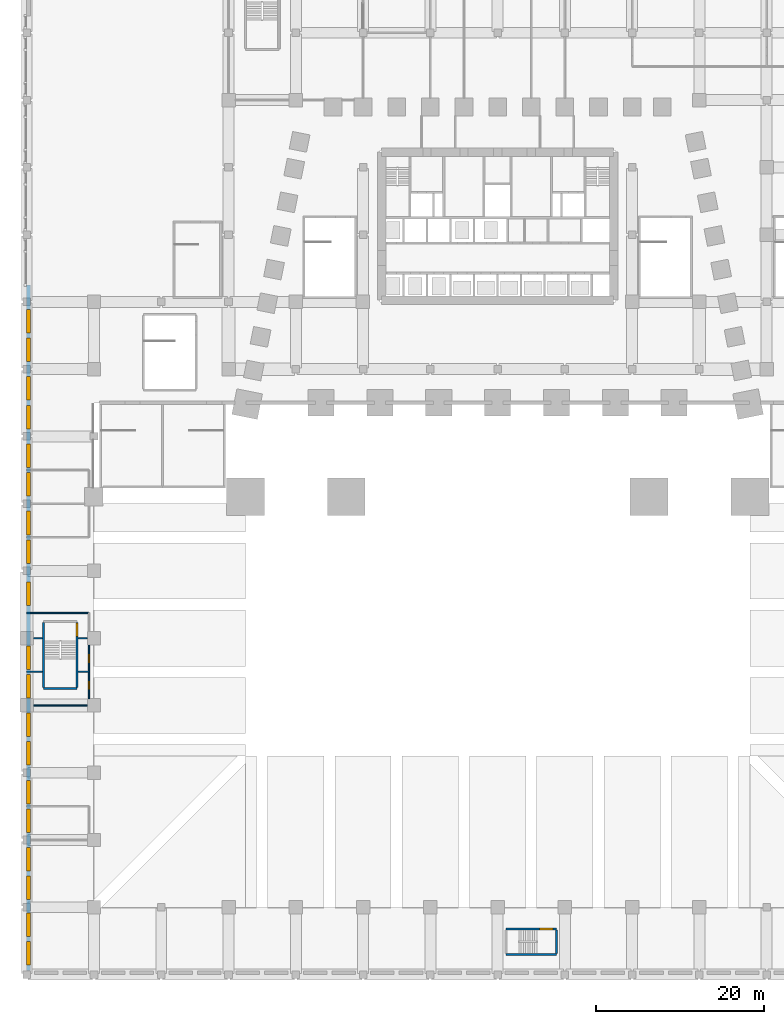
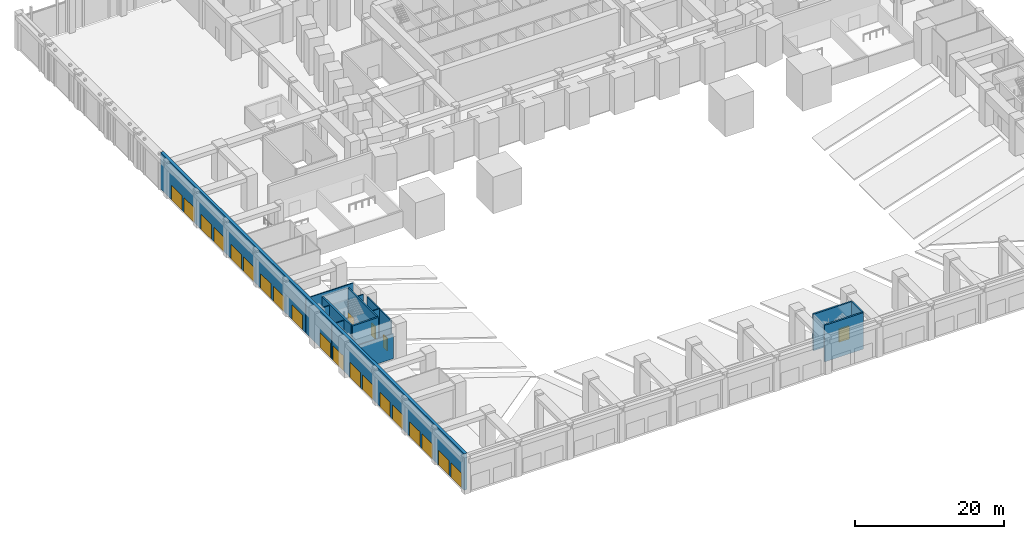
# One storey, part 8 of 28: 23 doors, 14 walls, 23 openings.
"""IFC4 building model written with IfcOpenShell, lengths in metres."""

from ifc_helpers import new_model, si_unit, direction, frame, frame_2d, origin, place, context, subcontext, project, spatial, rectangle, extrude, material, layer, layer_set, type_object, element, fill, save


model = new_model("IFC4")

# Units and contexts
model_context = context("Model", 3, precision=1e-05, world=origin(), true_north=direction((0.0, 1.0)))
body_context = subcontext(model_context, "Body", "Model", "MODEL_VIEW")
ifc_project = project(units=[si_unit("LENGTHUNIT", "METRE"), si_unit("AREAUNIT", "SQUARE_METRE"), si_unit("VOLUMEUNIT", "CUBIC_METRE"), si_unit("PLANEANGLEUNIT", "RADIAN"), si_unit("MASSUNIT", "GRAM", prefix="KILO")], contexts=[model_context])

# Site, building, storey
site_placement = place(None, origin())
site = spatial("IfcSite", under=ifc_project, at=site_placement, CompositionType="ELEMENT")
building_placement = place(site_placement, origin())
building = spatial("IfcBuilding", under=site, at=building_placement, Name="Isbrekke Arena Tower", CompositionType="ELEMENT")
storey_placement = place(building_placement, origin())
storey = spatial("IfcBuildingStorey", under=building, at=storey_placement, Name="L00", CompositionType="ELEMENT", Elevation=0.0)

# Wall, openings, doors
ifc_material_1 = material(Name="Pale brick facing on concrete backing wall", Category="masonry")
ifc_layer_1 = layer(ifc_material_1, 0.449951171875)
ifc_layer_set_1 = layer_set([ifc_layer_1], Name="EW1 PODIUM BRICK WALL 450")
wall_type_1 = type_object("IfcWallType", Name="EW1 PODIUM BRICK WALL 450", PredefinedType="SOLIDWALL", material=ifc_layer_set_1)
wall_1_placement = place(storey_placement, frame((-55.77490234375, 8.0, 0.0), z_axis=(0.0, 0.0, 1.0), x_axis=(0.0, -1.0, 0.0)))
wall_1 = element("IfcWall", 1, at=wall_1_placement, inside=storey, type_object=wall_type_1, Name="EW1 podium wall W1 L00", PredefinedType="SOLIDWALL", context=body_context, shape_type="SweptSolid", body=[
    extrude(rectangle(XDim=81.550048828125, YDim=0.449951171875, at=frame_2d((40.77490234375, 0.0))), origin(), (0.0, 0.0, 1.0), 6.0),
])
opening_1_placement = place(wall_1_placement, frame((2.89990234375, 0.0, 0.0)))
opening_1 = element("IfcOpeningElement", 2, at=opening_1_placement, cuts=wall_1, Name="Opening DE1", PredefinedType="OPENING", context=body_context, shape_type="SweptSolid", body=[
    extrude(rectangle(XDim=2.800048828125, YDim=2.39990234375, at=frame_2d((1.39990234375, 1.199951171875))), frame((0.0, 0.23974609375, 0.0), z_axis=(0.0, -1.0, 0.0), x_axis=(1.0, 0.0, 0.0)), (0.0, 0.0, 1.0), 0.479736328125),
])
opening_2_placement = place(wall_1_placement, frame((6.300048828125, 0.0, 0.0)))
opening_2 = element("IfcOpeningElement", 3, at=opening_2_placement, cuts=wall_1, Name="Opening DE1", PredefinedType="OPENING", context=body_context, shape_type="SweptSolid", body=[
    extrude(rectangle(XDim=2.800048828125, YDim=2.39990234375, at=frame_2d((1.39990234375, 1.199951171875))), frame((0.0, 0.23974609375, 0.0), z_axis=(0.0, -1.0, 0.0), x_axis=(1.0, 0.0, 0.0)), (0.0, 0.0, 1.0), 0.479736328125),
])
opening_3_placement = place(wall_1_placement, frame((10.89990234375, 0.0, 0.0)))
opening_3 = element("IfcOpeningElement", 4, at=opening_3_placement, cuts=wall_1, Name="Opening DE1", PredefinedType="OPENING", context=body_context, shape_type="SweptSolid", body=[
    extrude(rectangle(XDim=2.800048828125, YDim=2.39990234375, at=frame_2d((1.39990234375, 1.199951171875))), frame((0.0, 0.23974609375, 0.0), z_axis=(0.0, -1.0, 0.0), x_axis=(1.0, 0.0, 0.0)), (0.0, 0.0, 1.0), 0.479736328125),
])
opening_4_placement = place(wall_1_placement, frame((14.300048828125, 0.0, 0.0)))
opening_4 = element("IfcOpeningElement", 5, at=opening_4_placement, cuts=wall_1, Name="Opening DE1", PredefinedType="OPENING", context=body_context, shape_type="SweptSolid", body=[
    extrude(rectangle(XDim=2.800048828125, YDim=2.39990234375, at=frame_2d((1.39990234375, 1.199951171875))), frame((0.0, 0.23974609375, 0.0), z_axis=(0.0, -1.0, 0.0), x_axis=(1.0, 0.0, 0.0)), (0.0, 0.0, 1.0), 0.479736328125),
])
opening_5_placement = place(wall_1_placement, frame((18.89990234375, 0.0, 0.0)))
opening_5 = element("IfcOpeningElement", 6, at=opening_5_placement, cuts=wall_1, Name="Opening DE1", PredefinedType="OPENING", context=body_context, shape_type="SweptSolid", body=[
    extrude(rectangle(XDim=2.800048828125, YDim=2.39990234375, at=frame_2d((1.39990234375, 1.199951171875))), frame((0.0, 0.23974609375, 0.0), z_axis=(0.0, -1.0, 0.0), x_axis=(1.0, 0.0, 0.0)), (0.0, 0.0, 1.0), 0.479736328125),
])
opening_6_placement = place(wall_1_placement, frame((22.300048828125, 0.0, 0.0)))
opening_6 = element("IfcOpeningElement", 7, at=opening_6_placement, cuts=wall_1, Name="Opening DE1", PredefinedType="OPENING", context=body_context, shape_type="SweptSolid", body=[
    extrude(rectangle(XDim=2.800048828125, YDim=2.39990234375, at=frame_2d((1.39990234375, 1.199951171875))), frame((0.0, 0.23974609375, 0.0), z_axis=(0.0, -1.0, 0.0), x_axis=(1.0, 0.0, 0.0)), (0.0, 0.0, 1.0), 0.479736328125),
])
opening_7_placement = place(wall_1_placement, frame((26.89990234375, 0.0, 0.0)))
opening_7 = element("IfcOpeningElement", 8, at=opening_7_placement, cuts=wall_1, Name="Opening DE1", PredefinedType="OPENING", context=body_context, shape_type="SweptSolid", body=[
    extrude(rectangle(XDim=2.800048828125, YDim=2.39990234375, at=frame_2d((1.39990234375, 1.199951171875))), frame((0.0, 0.23974609375, 0.0), z_axis=(0.0, -1.0, 0.0), x_axis=(1.0, 0.0, 0.0)), (0.0, 0.0, 1.0), 0.479736328125),
])
opening_8_placement = place(wall_1_placement, frame((30.300048828125, 0.0, 0.0)))
opening_8 = element("IfcOpeningElement", 9, at=opening_8_placement, cuts=wall_1, Name="Opening DE1", PredefinedType="OPENING", context=body_context, shape_type="SweptSolid", body=[
    extrude(rectangle(XDim=2.800048828125, YDim=2.39990234375, at=frame_2d((1.39990234375, 1.199951171875))), frame((0.0, 0.23974609375, 0.0), z_axis=(0.0, -1.0, 0.0), x_axis=(1.0, 0.0, 0.0)), (0.0, 0.0, 1.0), 0.479736328125),
])
opening_9_placement = place(wall_1_placement, frame((35.324951171875, 0.0, 0.0)))
opening_9 = element("IfcOpeningElement", 10, at=opening_9_placement, cuts=wall_1, Name="Opening DE1", PredefinedType="OPENING", context=body_context, shape_type="SweptSolid", body=[
    extrude(rectangle(XDim=2.800048828125, YDim=2.39990234375, at=frame_2d((1.39990234375, 1.199951171875))), frame((0.0, 0.23974609375, 0.0), z_axis=(0.0, -1.0, 0.0), x_axis=(1.0, 0.0, 0.0)), (0.0, 0.0, 1.0), 0.479736328125),
])
opening_10_placement = place(wall_1_placement, frame((42.89990234375, 0.0, 0.0)))
opening_10 = element("IfcOpeningElement", 11, at=opening_10_placement, cuts=wall_1, Name="Opening DE1", PredefinedType="OPENING", context=body_context, shape_type="SweptSolid", body=[
    extrude(rectangle(XDim=2.800048828125, YDim=2.39990234375, at=frame_2d((1.39990234375, 1.199951171875))), frame((0.0, 0.23974609375, 0.0), z_axis=(0.0, -1.0, 0.0), x_axis=(1.0, 0.0, 0.0)), (0.0, 0.0, 1.0), 0.479736328125),
])
opening_11_placement = place(wall_1_placement, frame((46.300048828125, 0.0, 0.0)))
opening_11 = element("IfcOpeningElement", 12, at=opening_11_placement, cuts=wall_1, Name="Opening DE1", PredefinedType="OPENING", context=body_context, shape_type="SweptSolid", body=[
    extrude(rectangle(XDim=2.800048828125, YDim=2.39990234375, at=frame_2d((1.39990234375, 1.199951171875))), frame((0.0, 0.23974609375, 0.0), z_axis=(0.0, -1.0, 0.0), x_axis=(1.0, 0.0, 0.0)), (0.0, 0.0, 1.0), 0.479736328125),
])
opening_12_placement = place(wall_1_placement, frame((50.89990234375, 0.0, 0.0)))
opening_12 = element("IfcOpeningElement", 13, at=opening_12_placement, cuts=wall_1, Name="Opening DE1", PredefinedType="OPENING", context=body_context, shape_type="SweptSolid", body=[
    extrude(rectangle(XDim=2.800048828125, YDim=2.39990234375, at=frame_2d((1.39990234375, 1.199951171875))), frame((0.0, 0.23974609375, 0.0), z_axis=(0.0, -1.0, 0.0), x_axis=(1.0, 0.0, 0.0)), (0.0, 0.0, 1.0), 0.479736328125),
])
opening_13_placement = place(wall_1_placement, frame((54.300048828125, 0.0, 0.0)))
opening_13 = element("IfcOpeningElement", 14, at=opening_13_placement, cuts=wall_1, Name="Opening DE1", PredefinedType="OPENING", context=body_context, shape_type="SweptSolid", body=[
    extrude(rectangle(XDim=2.800048828125, YDim=2.39990234375, at=frame_2d((1.39990234375, 1.199951171875))), frame((0.0, 0.23974609375, 0.0), z_axis=(0.0, -1.0, 0.0), x_axis=(1.0, 0.0, 0.0)), (0.0, 0.0, 1.0), 0.479736328125),
])
opening_14_placement = place(wall_1_placement, frame((58.89990234375, 0.0, 0.0)))
opening_14 = element("IfcOpeningElement", 15, at=opening_14_placement, cuts=wall_1, Name="Opening DE1", PredefinedType="OPENING", context=body_context, shape_type="SweptSolid", body=[
    extrude(rectangle(XDim=2.800048828125, YDim=2.39990234375, at=frame_2d((1.39990234375, 1.199951171875))), frame((0.0, 0.23974609375, 0.0), z_axis=(0.0, -1.0, 0.0), x_axis=(1.0, 0.0, 0.0)), (0.0, 0.0, 1.0), 0.479736328125),
])
opening_15_placement = place(wall_1_placement, frame((62.300048828125, 0.0, 0.0)))
opening_15 = element("IfcOpeningElement", 16, at=opening_15_placement, cuts=wall_1, Name="Opening DE1", PredefinedType="OPENING", context=body_context, shape_type="SweptSolid", body=[
    extrude(rectangle(XDim=2.800048828125, YDim=2.39990234375, at=frame_2d((1.39990234375, 1.199951171875))), frame((0.0, 0.23974609375, 0.0), z_axis=(0.0, -1.0, 0.0), x_axis=(1.0, 0.0, 0.0)), (0.0, 0.0, 1.0), 0.479736328125),
])
opening_16_placement = place(wall_1_placement, frame((66.89990234375, 0.0, 0.0)))
opening_16 = element("IfcOpeningElement", 17, at=opening_16_placement, cuts=wall_1, Name="Opening DE1", PredefinedType="OPENING", context=body_context, shape_type="SweptSolid", body=[
    extrude(rectangle(XDim=2.800048828125, YDim=2.39990234375, at=frame_2d((1.39990234375, 1.199951171875))), frame((0.0, 0.23974609375, 0.0), z_axis=(0.0, -1.0, 0.0), x_axis=(1.0, 0.0, 0.0)), (0.0, 0.0, 1.0), 0.479736328125),
])
opening_17_placement = place(wall_1_placement, frame((70.300048828125, 0.0, 0.0)))
opening_17 = element("IfcOpeningElement", 18, at=opening_17_placement, cuts=wall_1, Name="Opening DE1", PredefinedType="OPENING", context=body_context, shape_type="SweptSolid", body=[
    extrude(rectangle(XDim=2.800048828125, YDim=2.39990234375, at=frame_2d((1.39990234375, 1.199951171875))), frame((0.0, 0.23974609375, 0.0), z_axis=(0.0, -1.0, 0.0), x_axis=(1.0, 0.0, 0.0)), (0.0, 0.0, 1.0), 0.479736328125),
])
opening_18_placement = place(wall_1_placement, frame((74.675048828125, 0.0, 0.0)))
opening_18 = element("IfcOpeningElement", 19, at=opening_18_placement, cuts=wall_1, Name="Opening DE1", PredefinedType="OPENING", context=body_context, shape_type="SweptSolid", body=[
    extrude(rectangle(XDim=2.800048828125, YDim=2.39990234375, at=frame_2d((1.39990234375, 1.199951171875))), frame((0.0, 0.23974609375, 0.0), z_axis=(0.0, -1.0, 0.0), x_axis=(1.0, 0.0, 0.0)), (0.0, 0.0, 1.0), 0.479736328125),
])
opening_19_placement = place(wall_1_placement, frame((78.074951171875, 0.0, 0.0)))
opening_19 = element("IfcOpeningElement", 20, at=opening_19_placement, cuts=wall_1, Name="Opening DE1", PredefinedType="OPENING", context=body_context, shape_type="SweptSolid", body=[
    extrude(rectangle(XDim=2.800048828125, YDim=2.39990234375, at=frame_2d((1.39990234375, 1.199951171875))), frame((0.0, 0.23974609375, 0.0), z_axis=(0.0, -1.0, 0.0), x_axis=(1.0, 0.0, 0.0)), (0.0, 0.0, 1.0), 0.479736328125),
])
ifc_material_2 = material(Name="Steel-framed glazed double door", Category="steel")
door_type_1 = type_object("IfcDoorType", Name="DE1 EXIT DOOR 2800 x 2400", OperationType="DOUBLE_DOOR_SINGLE_SWING", PredefinedType="DOOR", material=ifc_material_2)
door_1_placement = place(opening_1_placement, frame((2.800048828125, 0.0, 0.0), z_axis=(0.0, 0.0, 1.0), x_axis=(-1.0, 0.0, 0.0)))
door_1 = element("IfcDoor", 21, at=door_1_placement, inside=storey, type_object=door_type_1, Name="DE1 exit door W1-2a", OperationType="DOUBLE_DOOR_SINGLE_SWING", OverallHeight=2.39990234375, OverallWidth=2.800048828125, PredefinedType="DOOR", context=body_context, shape_type="SweptSolid", body=[
    extrude(rectangle(XDim=2.800048828125, YDim=2.39990234375, at=frame_2d((1.39990234375, 1.199951171875))), frame((0.0, 0.224609375, 0.0), z_axis=(0.0, -1.0, 0.0), x_axis=(1.0, 0.0, 0.0)), (0.0, 0.0, 1.0), 0.449462890625),
])
fill(opening_1, door_1)
door_2_placement = place(opening_2_placement, frame((2.800048828125, 0.0, 0.0), z_axis=(0.0, 0.0, 1.0), x_axis=(-1.0, 0.0, 0.0)))
door_2 = element("IfcDoor", 22, at=door_2_placement, inside=storey, type_object=door_type_1, Name="DE1 exit door W1-2b", OperationType="DOUBLE_DOOR_SINGLE_SWING", OverallHeight=2.39990234375, OverallWidth=2.800048828125, PredefinedType="DOOR", context=body_context, shape_type="SweptSolid", body=[
    extrude(rectangle(XDim=2.800048828125, YDim=2.39990234375, at=frame_2d((1.39990234375, 1.199951171875))), frame((0.0, 0.224609375, 0.0), z_axis=(0.0, -1.0, 0.0), x_axis=(1.0, 0.0, 0.0)), (0.0, 0.0, 1.0), 0.449462890625),
])
fill(opening_2, door_2)
door_3_placement = place(opening_3_placement, frame((2.800048828125, 0.0, 0.0), z_axis=(0.0, 0.0, 1.0), x_axis=(-1.0, 0.0, 0.0)))
door_3 = element("IfcDoor", 23, at=door_3_placement, inside=storey, type_object=door_type_1, Name="DE1 exit door W1-3a", OperationType="DOUBLE_DOOR_SINGLE_SWING", OverallHeight=2.39990234375, OverallWidth=2.800048828125, PredefinedType="DOOR", context=body_context, shape_type="SweptSolid", body=[
    extrude(rectangle(XDim=2.800048828125, YDim=2.39990234375, at=frame_2d((1.39990234375, 1.199951171875))), frame((0.0, 0.224609375, 0.0), z_axis=(0.0, -1.0, 0.0), x_axis=(1.0, 0.0, 0.0)), (0.0, 0.0, 1.0), 0.449462890625),
])
fill(opening_3, door_3)
door_4_placement = place(opening_4_placement, frame((2.800048828125, 0.0, 0.0), z_axis=(0.0, 0.0, 1.0), x_axis=(-1.0, 0.0, 0.0)))
door_4 = element("IfcDoor", 24, at=door_4_placement, inside=storey, type_object=door_type_1, Name="DE1 exit door W1-3b", OperationType="DOUBLE_DOOR_SINGLE_SWING", OverallHeight=2.39990234375, OverallWidth=2.800048828125, PredefinedType="DOOR", context=body_context, shape_type="SweptSolid", body=[
    extrude(rectangle(XDim=2.800048828125, YDim=2.39990234375, at=frame_2d((1.39990234375, 1.199951171875))), frame((0.0, 0.224609375, 0.0), z_axis=(0.0, -1.0, 0.0), x_axis=(1.0, 0.0, 0.0)), (0.0, 0.0, 1.0), 0.449462890625),
])
fill(opening_4, door_4)
door_5_placement = place(opening_5_placement, frame((2.800048828125, 0.0, 0.0), z_axis=(0.0, 0.0, 1.0), x_axis=(-1.0, 0.0, 0.0)))
door_5 = element("IfcDoor", 25, at=door_5_placement, inside=storey, type_object=door_type_1, Name="DE1 exit door W1-4a", OperationType="DOUBLE_DOOR_SINGLE_SWING", OverallHeight=2.39990234375, OverallWidth=2.800048828125, PredefinedType="DOOR", context=body_context, shape_type="SweptSolid", body=[
    extrude(rectangle(XDim=2.800048828125, YDim=2.39990234375, at=frame_2d((1.39990234375, 1.199951171875))), frame((0.0, 0.224609375, 0.0), z_axis=(0.0, -1.0, 0.0), x_axis=(1.0, 0.0, 0.0)), (0.0, 0.0, 1.0), 0.449462890625),
])
fill(opening_5, door_5)
door_6_placement = place(opening_6_placement, frame((2.800048828125, 0.0, 0.0), z_axis=(0.0, 0.0, 1.0), x_axis=(-1.0, 0.0, 0.0)))
door_6 = element("IfcDoor", 26, at=door_6_placement, inside=storey, type_object=door_type_1, Name="DE1 exit door W1-4b", OperationType="DOUBLE_DOOR_SINGLE_SWING", OverallHeight=2.39990234375, OverallWidth=2.800048828125, PredefinedType="DOOR", context=body_context, shape_type="SweptSolid", body=[
    extrude(rectangle(XDim=2.800048828125, YDim=2.39990234375, at=frame_2d((1.39990234375, 1.199951171875))), frame((0.0, 0.224609375, 0.0), z_axis=(0.0, -1.0, 0.0), x_axis=(1.0, 0.0, 0.0)), (0.0, 0.0, 1.0), 0.449462890625),
])
fill(opening_6, door_6)
door_7_placement = place(opening_7_placement, frame((2.800048828125, 0.0, 0.0), z_axis=(0.0, 0.0, 1.0), x_axis=(-1.0, 0.0, 0.0)))
door_7 = element("IfcDoor", 27, at=door_7_placement, inside=storey, type_object=door_type_1, Name="DE1 exit door W1-5a", OperationType="DOUBLE_DOOR_SINGLE_SWING", OverallHeight=2.39990234375, OverallWidth=2.800048828125, PredefinedType="DOOR", context=body_context, shape_type="SweptSolid", body=[
    extrude(rectangle(XDim=2.800048828125, YDim=2.39990234375, at=frame_2d((1.39990234375, 1.199951171875))), frame((0.0, 0.224609375, 0.0), z_axis=(0.0, -1.0, 0.0), x_axis=(1.0, 0.0, 0.0)), (0.0, 0.0, 1.0), 0.449462890625),
])
fill(opening_7, door_7)
door_8_placement = place(opening_8_placement, frame((2.800048828125, 0.0, 0.0), z_axis=(0.0, 0.0, 1.0), x_axis=(-1.0, 0.0, 0.0)))
door_8 = element("IfcDoor", 28, at=door_8_placement, inside=storey, type_object=door_type_1, Name="DE1 exit door W1-5b", OperationType="DOUBLE_DOOR_SINGLE_SWING", OverallHeight=2.39990234375, OverallWidth=2.800048828125, PredefinedType="DOOR", context=body_context, shape_type="SweptSolid", body=[
    extrude(rectangle(XDim=2.800048828125, YDim=2.39990234375, at=frame_2d((1.39990234375, 1.199951171875))), frame((0.0, 0.224609375, 0.0), z_axis=(0.0, -1.0, 0.0), x_axis=(1.0, 0.0, 0.0)), (0.0, 0.0, 1.0), 0.449462890625),
])
fill(opening_8, door_8)
door_9_placement = place(opening_9_placement, frame((2.800048828125, 0.0, 0.0), z_axis=(0.0, 0.0, 1.0), x_axis=(-1.0, 0.0, 0.0)))
door_9 = element("IfcDoor", 29, at=door_9_placement, inside=storey, type_object=door_type_1, Name="DE1 exit door W1-6a", OperationType="DOUBLE_DOOR_SINGLE_SWING", OverallHeight=2.39990234375, OverallWidth=2.800048828125, PredefinedType="DOOR", context=body_context, shape_type="SweptSolid", body=[
    extrude(rectangle(XDim=2.800048828125, YDim=2.39990234375, at=frame_2d((1.39990234375, 1.199951171875))), frame((0.0, 0.224609375, 0.0), z_axis=(0.0, -1.0, 0.0), x_axis=(1.0, 0.0, 0.0)), (0.0, 0.0, 1.0), 0.449462890625),
])
fill(opening_9, door_9)
door_10_placement = place(opening_10_placement, frame((2.800048828125, 0.0, 0.0), z_axis=(0.0, 0.0, 1.0), x_axis=(-1.0, 0.0, 0.0)))
door_10 = element("IfcDoor", 30, at=door_10_placement, inside=storey, type_object=door_type_1, Name="DE1 exit door W1-7a", OperationType="DOUBLE_DOOR_SINGLE_SWING", OverallHeight=2.39990234375, OverallWidth=2.800048828125, PredefinedType="DOOR", context=body_context, shape_type="SweptSolid", body=[
    extrude(rectangle(XDim=2.800048828125, YDim=2.39990234375, at=frame_2d((1.39990234375, 1.199951171875))), frame((0.0, 0.224609375, 0.0), z_axis=(0.0, -1.0, 0.0), x_axis=(1.0, 0.0, 0.0)), (0.0, 0.0, 1.0), 0.449462890625),
])
fill(opening_10, door_10)
door_11_placement = place(opening_11_placement, frame((2.800048828125, 0.0, 0.0), z_axis=(0.0, 0.0, 1.0), x_axis=(-1.0, 0.0, 0.0)))
door_11 = element("IfcDoor", 31, at=door_11_placement, inside=storey, type_object=door_type_1, Name="DE1 exit door W1-7b", OperationType="DOUBLE_DOOR_SINGLE_SWING", OverallHeight=2.39990234375, OverallWidth=2.800048828125, PredefinedType="DOOR", context=body_context, shape_type="SweptSolid", body=[
    extrude(rectangle(XDim=2.800048828125, YDim=2.39990234375, at=frame_2d((1.39990234375, 1.199951171875))), frame((0.0, 0.224609375, 0.0), z_axis=(0.0, -1.0, 0.0), x_axis=(1.0, 0.0, 0.0)), (0.0, 0.0, 1.0), 0.449462890625),
])
fill(opening_11, door_11)
door_12_placement = place(opening_12_placement, frame((2.800048828125, 0.0, 0.0), z_axis=(0.0, 0.0, 1.0), x_axis=(-1.0, 0.0, 0.0)))
door_12 = element("IfcDoor", 32, at=door_12_placement, inside=storey, type_object=door_type_1, Name="DE1 exit door W1-8a", OperationType="DOUBLE_DOOR_SINGLE_SWING", OverallHeight=2.39990234375, OverallWidth=2.800048828125, PredefinedType="DOOR", context=body_context, shape_type="SweptSolid", body=[
    extrude(rectangle(XDim=2.800048828125, YDim=2.39990234375, at=frame_2d((1.39990234375, 1.199951171875))), frame((0.0, 0.224609375, 0.0), z_axis=(0.0, -1.0, 0.0), x_axis=(1.0, 0.0, 0.0)), (0.0, 0.0, 1.0), 0.449462890625),
])
fill(opening_12, door_12)
door_13_placement = place(opening_13_placement, frame((2.800048828125, 0.0, 0.0), z_axis=(0.0, 0.0, 1.0), x_axis=(-1.0, 0.0, 0.0)))
door_13 = element("IfcDoor", 33, at=door_13_placement, inside=storey, type_object=door_type_1, Name="DE1 exit door W1-8b", OperationType="DOUBLE_DOOR_SINGLE_SWING", OverallHeight=2.39990234375, OverallWidth=2.800048828125, PredefinedType="DOOR", context=body_context, shape_type="SweptSolid", body=[
    extrude(rectangle(XDim=2.800048828125, YDim=2.39990234375, at=frame_2d((1.39990234375, 1.199951171875))), frame((0.0, 0.224609375, 0.0), z_axis=(0.0, -1.0, 0.0), x_axis=(1.0, 0.0, 0.0)), (0.0, 0.0, 1.0), 0.449462890625),
])
fill(opening_13, door_13)
door_14_placement = place(opening_14_placement, frame((2.800048828125, 0.0, 0.0), z_axis=(0.0, 0.0, 1.0), x_axis=(-1.0, 0.0, 0.0)))
door_14 = element("IfcDoor", 34, at=door_14_placement, inside=storey, type_object=door_type_1, Name="DE1 exit door W1-9a", OperationType="DOUBLE_DOOR_SINGLE_SWING", OverallHeight=2.39990234375, OverallWidth=2.800048828125, PredefinedType="DOOR", context=body_context, shape_type="SweptSolid", body=[
    extrude(rectangle(XDim=2.800048828125, YDim=2.39990234375, at=frame_2d((1.39990234375, 1.199951171875))), frame((0.0, 0.224609375, 0.0), z_axis=(0.0, -1.0, 0.0), x_axis=(1.0, 0.0, 0.0)), (0.0, 0.0, 1.0), 0.449462890625),
])
fill(opening_14, door_14)
door_15_placement = place(opening_15_placement, frame((2.800048828125, 0.0, 0.0), z_axis=(0.0, 0.0, 1.0), x_axis=(-1.0, 0.0, 0.0)))
door_15 = element("IfcDoor", 35, at=door_15_placement, inside=storey, type_object=door_type_1, Name="DE1 exit door W1-9b", OperationType="DOUBLE_DOOR_SINGLE_SWING", OverallHeight=2.39990234375, OverallWidth=2.800048828125, PredefinedType="DOOR", context=body_context, shape_type="SweptSolid", body=[
    extrude(rectangle(XDim=2.800048828125, YDim=2.39990234375, at=frame_2d((1.39990234375, 1.199951171875))), frame((0.0, 0.224609375, 0.0), z_axis=(0.0, -1.0, 0.0), x_axis=(1.0, 0.0, 0.0)), (0.0, 0.0, 1.0), 0.449462890625),
])
fill(opening_15, door_15)
door_16_placement = place(opening_16_placement, frame((2.800048828125, 0.0, 0.0), z_axis=(0.0, 0.0, 1.0), x_axis=(-1.0, 0.0, 0.0)))
door_16 = element("IfcDoor", 36, at=door_16_placement, inside=storey, type_object=door_type_1, Name="DE1 exit door W1-10a", OperationType="DOUBLE_DOOR_SINGLE_SWING", OverallHeight=2.39990234375, OverallWidth=2.800048828125, PredefinedType="DOOR", context=body_context, shape_type="SweptSolid", body=[
    extrude(rectangle(XDim=2.800048828125, YDim=2.39990234375, at=frame_2d((1.39990234375, 1.199951171875))), frame((0.0, 0.224609375, 0.0), z_axis=(0.0, -1.0, 0.0), x_axis=(1.0, 0.0, 0.0)), (0.0, 0.0, 1.0), 0.449462890625),
])
fill(opening_16, door_16)
door_17_placement = place(opening_17_placement, frame((2.800048828125, 0.0, 0.0), z_axis=(0.0, 0.0, 1.0), x_axis=(-1.0, 0.0, 0.0)))
door_17 = element("IfcDoor", 37, at=door_17_placement, inside=storey, type_object=door_type_1, Name="DE1 exit door W1-10b", OperationType="DOUBLE_DOOR_SINGLE_SWING", OverallHeight=2.39990234375, OverallWidth=2.800048828125, PredefinedType="DOOR", context=body_context, shape_type="SweptSolid", body=[
    extrude(rectangle(XDim=2.800048828125, YDim=2.39990234375, at=frame_2d((1.39990234375, 1.199951171875))), frame((0.0, 0.224609375, 0.0), z_axis=(0.0, -1.0, 0.0), x_axis=(1.0, 0.0, 0.0)), (0.0, 0.0, 1.0), 0.449462890625),
])
fill(opening_17, door_17)
door_18_placement = place(opening_18_placement, frame((2.800048828125, 0.0, 0.0), z_axis=(0.0, 0.0, 1.0), x_axis=(-1.0, 0.0, 0.0)))
door_18 = element("IfcDoor", 38, at=door_18_placement, inside=storey, type_object=door_type_1, Name="DE1 exit door W1-11a", OperationType="DOUBLE_DOOR_SINGLE_SWING", OverallHeight=2.39990234375, OverallWidth=2.800048828125, PredefinedType="DOOR", context=body_context, shape_type="SweptSolid", body=[
    extrude(rectangle(XDim=2.800048828125, YDim=2.39990234375, at=frame_2d((1.39990234375, 1.199951171875))), frame((0.0, 0.224609375, 0.0), z_axis=(0.0, -1.0, 0.0), x_axis=(1.0, 0.0, 0.0)), (0.0, 0.0, 1.0), 0.449462890625),
])
fill(opening_18, door_18)
door_19_placement = place(opening_19_placement, frame((2.800048828125, 0.0, 0.0), z_axis=(0.0, 0.0, 1.0), x_axis=(-1.0, 0.0, 0.0)))
door_19 = element("IfcDoor", 39, at=door_19_placement, inside=storey, type_object=door_type_1, Name="DE1 exit door W1-11b", OperationType="DOUBLE_DOOR_SINGLE_SWING", OverallHeight=2.39990234375, OverallWidth=2.800048828125, PredefinedType="DOOR", context=body_context, shape_type="SweptSolid", body=[
    extrude(rectangle(XDim=2.800048828125, YDim=2.39990234375, at=frame_2d((1.39990234375, 1.199951171875))), frame((0.0, 0.224609375, 0.0), z_axis=(0.0, -1.0, 0.0), x_axis=(1.0, 0.0, 0.0)), (0.0, 0.0, 1.0), 0.449462890625),
])
fill(opening_19, door_19)

ifc_material_3 = material(Name="Gypsum board partition on steel studs", Category="steel")
ifc_layer_2 = layer(ifc_material_3, 0.14990234375)
ifc_layer_set_2 = layer_set([ifc_layer_2], Name="IW1 PARTITION 150")
wall_type_2 = type_object("IfcWallType", Name="IW1 PARTITION 150", PredefinedType="PARTITIONING", material=ifc_layer_set_2)
wall_2_placement = place(storey_placement, frame((-48.60009765625, -41.18994140625, 0.0), z_axis=(0.0, 0.0, 1.0), x_axis=(0.0, 1.0, 0.0)))
wall_2 = element("IfcWall", 40, at=wall_2_placement, inside=storey, type_object=wall_type_2, Name="IW1 partition L00", PredefinedType="PARTITIONING", context=body_context, shape_type="SweptSolid", body=[
    extrude(rectangle(XDim=6.3798828125, YDim=0.14990234375, at=frame_2d((3.18994140625, 0.0))), origin(), (0.0, 0.0, 1.0), 5.699951171875),
])
opening_20_placement = place(wall_2_placement, frame((1.094970703125, 0.0, 0.0)))
opening_20 = element("IfcOpeningElement", 41, at=opening_20_placement, cuts=wall_2, Name="Opening D6", PredefinedType="OPENING", context=body_context, shape_type="SweptSolid", body=[
    extrude(rectangle(XDim=1.0, YDim=2.10009765625, at=frame_2d((0.5, 1.050048828125))), frame((0.0, 0.08984375, 0.0), z_axis=(0.0, -1.0, 0.0), x_axis=(1.0, 0.0, 0.0)), (0.0, 0.0, 1.0), 0.1796875),
])
opening_21_placement = place(wall_2_placement, frame((4.284912109375, 0.0, 0.0)))
opening_21 = element("IfcOpeningElement", 42, at=opening_21_placement, cuts=wall_2, Name="Opening D6", PredefinedType="OPENING", context=body_context, shape_type="SweptSolid", body=[
    extrude(rectangle(XDim=1.0, YDim=2.10009765625, at=frame_2d((0.5, 1.050048828125))), frame((0.0, 0.08984375, 0.0), z_axis=(0.0, -1.0, 0.0), x_axis=(1.0, 0.0, 0.0)), (0.0, 0.0, 1.0), 0.1796875),
])
ifc_material_4 = material(Name="Timber door", Category="wood")
door_type_2 = type_object("IfcDoorType", Name="D6 ROOM DOOR 1000 x 2100", OperationType="SINGLE_SWING_LEFT", PredefinedType="DOOR", material=ifc_material_4)
door_20_placement = place(opening_20_placement, origin())
door_20 = element("IfcDoor", 43, at=door_20_placement, inside=storey, type_object=door_type_2, Name="D6 door L00-28", OperationType="SINGLE_SWING_LEFT", OverallHeight=2.10009765625, OverallWidth=1.0, PredefinedType="DOOR", context=body_context, shape_type="SweptSolid", body=[
    extrude(rectangle(XDim=1.0, YDim=2.10009765625, at=frame_2d((0.5, 1.050048828125))), frame((0.0, 0.07470703125, 0.0), z_axis=(0.0, -1.0, 0.0), x_axis=(1.0, 0.0, 0.0)), (0.0, 0.0, 1.0), 0.1494140625),
])
fill(opening_20, door_20)
door_21_placement = place(opening_21_placement, origin())
door_21 = element("IfcDoor", 44, at=door_21_placement, inside=storey, type_object=door_type_2, Name="D6 door L00-29", OperationType="SINGLE_SWING_LEFT", OverallHeight=2.10009765625, OverallWidth=1.0, PredefinedType="DOOR", context=body_context, shape_type="SweptSolid", body=[
    extrude(rectangle(XDim=1.0, YDim=2.10009765625, at=frame_2d((0.5, 1.050048828125))), frame((0.0, 0.07470703125, 0.0), z_axis=(0.0, -1.0, 0.0), x_axis=(1.0, 0.0, 0.0)), (0.0, 0.0, 1.0), 0.1494140625),
])
fill(opening_21, door_21)

# Walls
wall_3_placement = place(storey_placement, frame((-55.18994140625, -42.0, 0.0), z_axis=(0.0, 0.0, 1.0), x_axis=(1.0, 0.0, 0.0)))
element("IfcWall", 45, at=wall_3_placement, inside=storey, type_object=wall_type_2, Name="IW1 partition L00", PredefinedType="PARTITIONING", context=body_context, shape_type="SweptSolid", body=[
    extrude(rectangle(XDim=6.3798828125, YDim=0.14990234375, at=frame_2d((3.18994140625, 0.0))), origin(), (0.0, 0.0, 1.0), 4.10009765625),
])
wall_4_placement = place(storey_placement, frame((-56.0, -38.0, 0.0), z_axis=(0.0, 0.0, 1.0), x_axis=(1.0, 0.0, 0.0)))
element("IfcWall", 46, at=wall_4_placement, inside=storey, type_object=wall_type_2, Name="IW1 partition L00", PredefinedType="PARTITIONING", context=body_context, shape_type="SweptSolid", body=[
    extrude(rectangle(XDim=1.875, YDim=0.14990234375, at=frame_2d((0.9375, 0.0))), origin(), (0.0, 0.0, 1.0), 5.699951171875),
])
wall_5_placement = place(storey_placement, frame((-49.875, -38.0, 0.0), z_axis=(0.0, 0.0, 1.0), x_axis=(1.0, 0.0, 0.0)))
element("IfcWall", 47, at=wall_5_placement, inside=storey, type_object=wall_type_2, Name="IW1 partition L00", PredefinedType="PARTITIONING", context=body_context, shape_type="SweptSolid", body=[
    extrude(rectangle(XDim=1.27490234375, YDim=0.14990234375, at=frame_2d((0.637451171875, 0.0))), origin(), (0.0, 0.0, 1.0), 5.699951171875),
])
for number, where, z_axis, x_axis, name in (
    (48, (-55.18994140625, -34.0, 0.0), (0.0, 0.0, 1.0), (1.0, 0.0, 0.0), "IW1 partition L00"),
    (49, (-49.875, -34.0, 0.0), (0.0, 0.0, 1.0), (1.0, 0.0, 0.0), "IW1 partition L00"),
):
    element("IfcWall", number, at=place(storey_placement, frame(where, z_axis=z_axis, x_axis=x_axis)), inside=storey, type_object=wall_type_2, Name=name, PredefinedType="PARTITIONING", context=body_context, shape_type="SweptSolid", body=[
        extrude(rectangle(XDim=1.06494140625, YDim=0.14990234375, at=frame_2d((0.532470703125, 0.0))), origin(), (0.0, 0.0, 1.0), 5.699951171875),
    ])
wall_6_placement = place(storey_placement, frame((-56.0, -31.0, 0.0), z_axis=(0.0, 0.0, 1.0), x_axis=(1.0, 0.0, 0.0)))
element("IfcWall", 50, at=wall_6_placement, inside=storey, type_object=wall_type_2, Name="IW1 partition L00", PredefinedType="PARTITIONING", context=body_context, shape_type="SweptSolid", body=[
    extrude(rectangle(XDim=7.39990234375, YDim=0.14990234375, at=frame_2d((3.699951171875, 0.0))), origin(), (0.0, 0.0, 1.0), 5.699951171875),
])
ifc_material_5 = material(Name="Concrete B45 (C45/55)", Category="concrete")
ifc_layer_3 = layer(ifc_material_5, 0.25)
ifc_layer_set_3 = layer_set([ifc_layer_3], Name="SW1 STAIR ENCLOSURE WALL 250")
wall_type_3 = type_object("IfcWallType", Name="SW1 STAIR ENCLOSURE WALL 250", PredefinedType="SOLIDWALL", material=ifc_layer_set_3)
wall_7_placement = place(storey_placement, frame((-54.0, -40.0, 0.0), z_axis=(0.0, 0.0, 1.0), x_axis=(1.0, 0.0, 0.0)))
element("IfcWall", 51, at=wall_7_placement, inside=storey, type_object=wall_type_3, Name="SW1 stair wall P4 S L00", PredefinedType="SOLIDWALL", context=body_context, shape_type="SweptSolid", body=[
    extrude(rectangle(XDim=4.0, YDim=0.25, at=frame_2d((2.0, 0.0))), origin(), (0.0, 0.0, 1.0), 6.0),
])

# Wall, opening, door
wall_8_placement = place(storey_placement, frame((-50.0, -39.875, 0.0), z_axis=(0.0, 0.0, 1.0), x_axis=(0.0, 1.0, 0.0)))
wall_8 = element("IfcWall", 52, at=wall_8_placement, inside=storey, type_object=wall_type_3, Name="SW1 stair wall P4 E L00", PredefinedType="SOLIDWALL", context=body_context, shape_type="SweptSolid", body=[
    extrude(rectangle(XDim=7.75, YDim=0.25, at=frame_2d((3.875, 0.0))), origin(), (0.0, 0.0, 1.0), 6.0),
])
opening_22_placement = place(wall_8_placement, frame((6.10009765625, 0.0, 0.0)))
opening_22 = element("IfcOpeningElement", 53, at=opening_22_placement, cuts=wall_8, Name="Opening D7", PredefinedType="OPENING", context=body_context, shape_type="SweptSolid", body=[
    extrude(rectangle(XDim=1.60009765625, YDim=2.10009765625, at=frame_2d((0.800048828125, 1.050048828125))), frame((0.0, 0.139892578125, 0.0), z_axis=(0.0, -1.0, 0.0), x_axis=(1.0, 0.0, 0.0)), (0.0, 0.0, 1.0), 0.27978515625),
])
ifc_material_6 = material(Name="Steel fire door", Category="steel")
door_type_3 = type_object("IfcDoorType", Name="D7 PODIUM STAIR DOOR 1600 x 2100", OperationType="DOUBLE_DOOR_SINGLE_SWING", PredefinedType="DOOR", material=ifc_material_6)
door_22_placement = place(opening_22_placement, origin())
door_22 = element("IfcDoor", 54, at=door_22_placement, inside=storey, type_object=door_type_3, Name="D7 stair door P4 L00", OperationType="DOUBLE_DOOR_SINGLE_SWING", OverallHeight=2.10009765625, OverallWidth=1.60009765625, PredefinedType="DOOR", context=body_context, shape_type="SweptSolid", body=[
    extrude(rectangle(XDim=1.60009765625, YDim=2.10009765625, at=frame_2d((0.800048828125, 1.050048828125))), frame((0.0, 0.124755859375, 0.0), z_axis=(0.0, -1.0, 0.0), x_axis=(1.0, 0.0, 0.0)), (0.0, 0.0, 1.0), 0.24951171875),
])
fill(opening_22, door_22)

# Walls
wall_9_placement = place(storey_placement, frame((-54.0, -32.125, 0.0), z_axis=(0.0, 0.0, 1.0), x_axis=(0.0, -1.0, 0.0)))
element("IfcWall", 55, at=wall_9_placement, inside=storey, type_object=wall_type_3, Name="SW1 stair wall P4 W L00", PredefinedType="SOLIDWALL", context=body_context, shape_type="SweptSolid", body=[
    extrude(rectangle(XDim=7.75, YDim=0.25, at=frame_2d((3.875, 0.0))), origin(), (0.0, 0.0, 1.0), 6.0),
])
wall_10_placement = place(storey_placement, frame((1.0, -71.60009765625, 0.0), z_axis=(0.0, 0.0, 1.0), x_axis=(1.0, 0.0, 0.0)))
element("IfcWall", 56, at=wall_10_placement, inside=storey, type_object=wall_type_3, Name="SW1 stair wall P5 S L00", PredefinedType="SOLIDWALL", context=body_context, shape_type="SweptSolid", body=[
    extrude(rectangle(XDim=6.0, YDim=0.25, at=frame_2d((3.0, 0.0))), origin(), (0.0, 0.0, 1.0), 6.0),
])

# Wall, opening, door
wall_11_placement = place(storey_placement, frame((7.0, -68.60009765625, 0.0), z_axis=(0.0, 0.0, 1.0), x_axis=(-1.0, 0.0, 0.0)))
wall_11 = element("IfcWall", 57, at=wall_11_placement, inside=storey, type_object=wall_type_3, Name="SW1 stair wall P5 N L00", PredefinedType="SOLIDWALL", context=body_context, shape_type="SweptSolid", body=[
    extrude(rectangle(XDim=6.0, YDim=0.25, at=frame_2d((3.0, 0.0))), origin(), (0.0, 0.0, 1.0), 6.0),
])
opening_23_placement = place(wall_11_placement, frame((0.425048828125, 0.0, 0.0)))
opening_23 = element("IfcOpeningElement", 58, at=opening_23_placement, cuts=wall_11, Name="Opening D7", PredefinedType="OPENING", context=body_context, shape_type="SweptSolid", body=[
    extrude(rectangle(XDim=1.60009765625, YDim=2.10009765625, at=frame_2d((0.800048828125, 1.050048828125))), frame((0.0, 0.139892578125, 0.0), z_axis=(0.0, -1.0, 0.0), x_axis=(1.0, 0.0, 0.0)), (0.0, 0.0, 1.0), 0.27978515625),
])
door_23_placement = place(opening_23_placement, origin())
door_23 = element("IfcDoor", 59, at=door_23_placement, inside=storey, type_object=door_type_3, Name="D7 stair door P5 L00", OperationType="DOUBLE_DOOR_SINGLE_SWING", OverallHeight=2.10009765625, OverallWidth=1.60009765625, PredefinedType="DOOR", context=body_context, shape_type="SweptSolid", body=[
    extrude(rectangle(XDim=1.60009765625, YDim=2.10009765625, at=frame_2d((0.800048828125, 1.050048828125))), frame((0.0, 0.124755859375, 0.0), z_axis=(0.0, -1.0, 0.0), x_axis=(1.0, 0.0, 0.0)), (0.0, 0.0, 1.0), 0.24951171875),
])
fill(opening_23, door_23)

# Wall
wall_12_placement = place(storey_placement, frame((7.0, -71.47509765625, 0.0), z_axis=(0.0, 0.0, 1.0), x_axis=(0.0, 1.0, 0.0)))
element("IfcWall", 60, at=wall_12_placement, inside=storey, type_object=wall_type_3, Name="SW1 stair wall P5 E L00", PredefinedType="SOLIDWALL", context=body_context, shape_type="SweptSolid", body=[
    extrude(rectangle(XDim=2.75, YDim=0.25, at=frame_2d((1.375, 0.0))), origin(), (0.0, 0.0, 1.0), 6.0),
])

save(model, "model.ifc")
